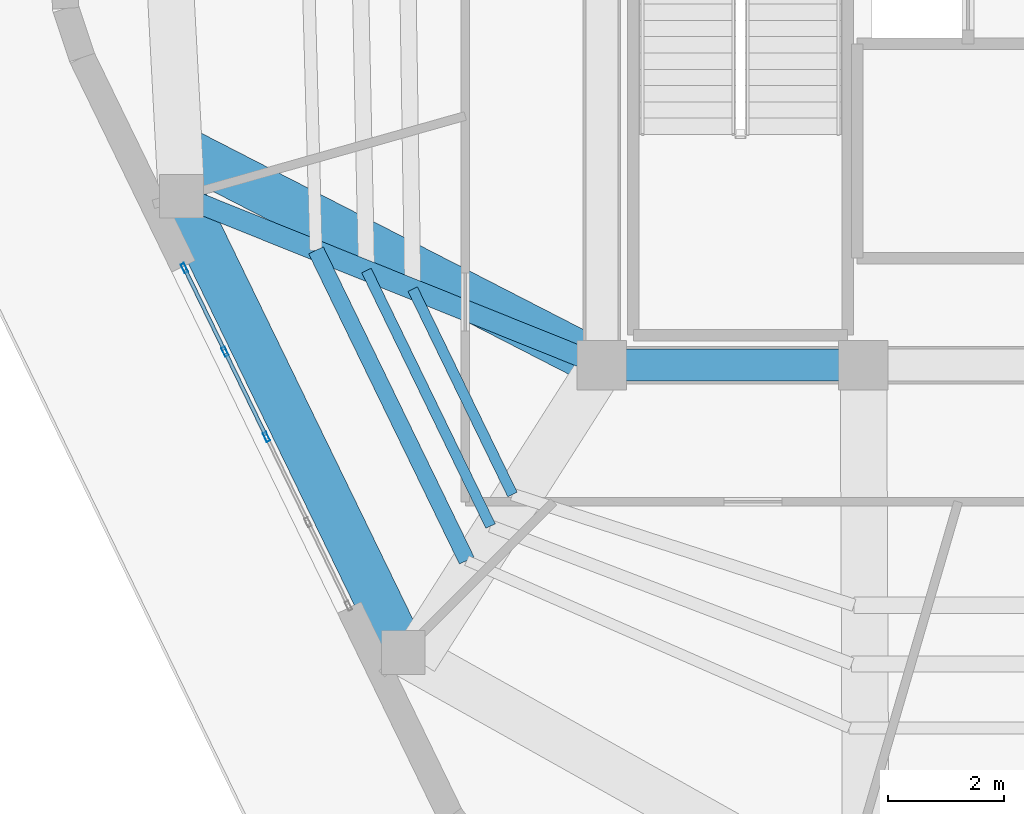
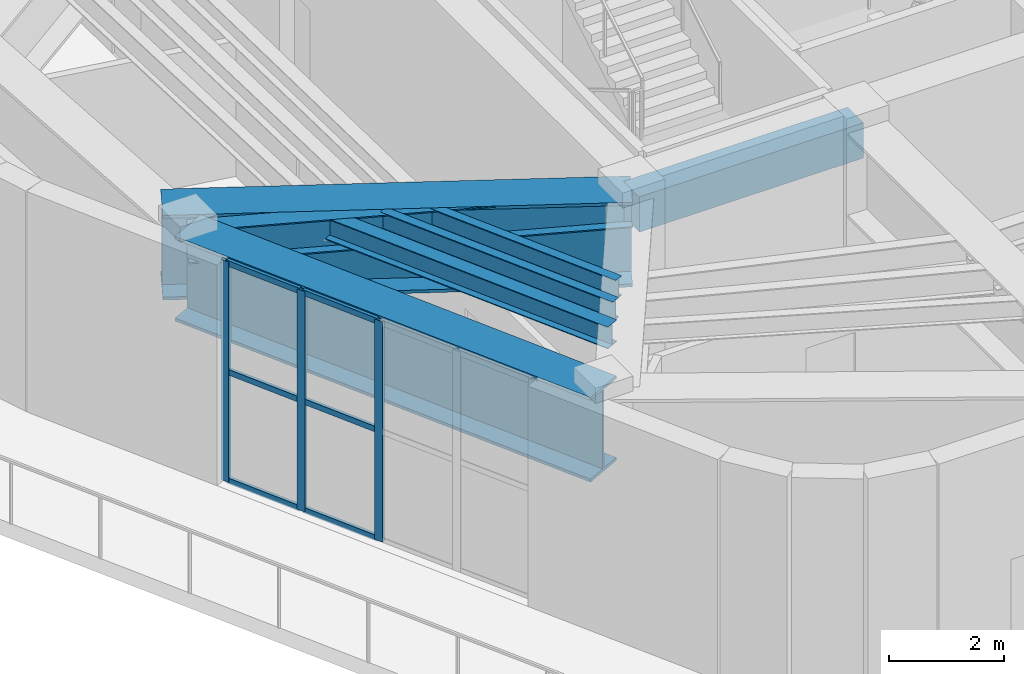
# One storey, part 4 of 24: 9 members, 7 beams, 1 element without a shape of its own.
"""IFC4 building model written with IfcOpenShell, lengths in metres."""

from ifc_helpers import new_model, si_unit, direction, frame, origin, origin_2d, place, context, subcontext, project, spatial, rectangle, hollow_rectangle, i_section, extrude, material, layer, layer_set, material_profile, profile_set, type_object, element, aggregate, save


model = new_model("IFC4")

# Units and contexts
model_context = context("Model", 3, precision=1e-05, world=origin(), true_north=direction((0.0, 1.0)))
body_context = subcontext(model_context, "Body", "Model", "MODEL_VIEW")
ifc_project = project(units=[si_unit("LENGTHUNIT", "METRE"), si_unit("AREAUNIT", "SQUARE_METRE"), si_unit("VOLUMEUNIT", "CUBIC_METRE"), si_unit("PLANEANGLEUNIT", "RADIAN"), si_unit("MASSUNIT", "GRAM", prefix="KILO")], contexts=[model_context])

# Site, building, storey
site_placement = place(None, origin())
site = spatial("IfcSite", under=ifc_project, at=site_placement, CompositionType="ELEMENT")
building_placement = place(site_placement, origin())
building = spatial("IfcBuilding", under=site, at=building_placement, Name="Kilnhurst Terrace Hotel", CompositionType="ELEMENT")
storey_placement = place(building_placement, frame((0.0, 0.0, 305.39990234375)))
storey = spatial("IfcBuildingStorey", under=building, at=storey_placement, Name="L76", CompositionType="ELEMENT", Elevation=305.39990234375)

# Beams
ifc_material_1 = material(Name="Concrete C50/60", Category="concrete")
ifc_material_profile_1 = material_profile(ifc_material_1, rectangle(XDim=0.550048828125, YDim=0.75, at=origin_2d()), Name="RC550X750")
ifc_profile_set_1 = profile_set([ifc_material_profile_1], Name="Concrete C50/60")
beam_type_1 = type_object("IfcBeamType", Name="BM-SPN-550X750", PredefinedType="SPANDREL", material=ifc_profile_set_1)
beam_1_placement = place(storey_placement, frame((-9.0, -7.5, 4.30517578125), z_axis=(1.0, 0.0, 0.0), x_axis=(0.0, 1.0, 0.0)))
element("IfcBeam", 1, at=beam_1_placement, inside=storey, type_object=beam_type_1, Name="L76 Core Tie Beam CC-SW to CC-SC1", PredefinedType="SPANDREL", context=body_context, shape_type="SweptSolid", body=[
    extrude(rectangle(XDim=0.550048828125, YDim=0.75, at=origin_2d()), origin(), (0.0, 0.0, 1.0), 4.5),
])
ifc_material_2 = material(Name="Steel ASTM A992 Grade 50", Category="steel")
ifc_material_profile_2 = material_profile(ifc_material_2, i_section(OverallWidth=0.354736328125, OverallDepth=0.695556640625, WebThickness=0.015380859375, FlangeThickness=0.025146484375, at=origin_2d()), Name="W27X146")
ifc_profile_set_2 = profile_set([ifc_material_profile_2], Name="Steel ASTM A992 Grade 50")
beam_type_2 = type_object("IfcBeamType", Name="BM-STL-W27X146", PredefinedType="BEAM", material=ifc_profile_set_2)
beam_2_placement = place(storey_placement, frame((-9.0, -7.5, 4.33203125), z_axis=(-0.927933440457, 0.372745932348, 0.0), x_axis=(-0.372745932348, -0.927933440457, 0.0)))
element("IfcBeam", 2, at=beam_2_placement, inside=storey, type_object=beam_type_2, Name="L76 Radial Floor Beam 11", PredefinedType="BEAM", context=body_context, shape_type="SweptSolid", body=[
    extrude(i_section(OverallWidth=0.354736328125, OverallDepth=0.695556640625, WebThickness=0.015380859375, FlangeThickness=0.025146484375, at=origin_2d()), origin(), (0.0, 0.0, 1.0), 7.793701171875),
])
ifc_material_profile_3 = material_profile(ifc_material_2, i_section(OverallWidth=0.180908203125, OverallDepth=0.417236328125, WebThickness=0.010986328125, FlangeThickness=0.018310546875, at=origin_2d()), Name="W16X57")
ifc_profile_set_3 = profile_set([ifc_material_profile_3], Name="Steel ASTM A992 Grade 50")
beam_type_3 = type_object("IfcBeamType", Name="JST-STL-W16X57", PredefinedType="JOIST", material=ifc_profile_set_3)
beam_3_placement = place(storey_placement, frame((-12.25439453125, -6.19287109375, 4.47119140625), z_axis=(0.437112375115, -0.899406899863, 0.0), x_axis=(0.899406899863, 0.437112375115, 0.0)))
element("IfcBeam", 3, at=beam_3_placement, inside=storey, type_object=beam_type_3, Name="L76 Secondary Floor Steel Joist IN.11", PredefinedType="JOIST", context=body_context, shape_type="SweptSolid", body=[
    extrude(i_section(OverallWidth=0.180908203125, OverallDepth=0.417236328125, WebThickness=0.010986328125, FlangeThickness=0.018310546875, at=origin_2d()), origin(), (0.0, 0.0, 1.0), 3.926513671875),
])
beam_4_placement = place(storey_placement, frame((-13.0498046875, -5.873291015625, 4.47119140625), z_axis=(0.437092228786, -0.899416690714, 0.0), x_axis=(0.899416690714, 0.437092228786, 0.0)))
element("IfcBeam", 4, at=beam_4_placement, inside=storey, type_object=beam_type_3, Name="L76 Secondary Floor Steel Joist MID.11", PredefinedType="JOIST", context=body_context, shape_type="SweptSolid", body=[
    extrude(i_section(OverallWidth=0.180908203125, OverallDepth=0.417236328125, WebThickness=0.010986328125, FlangeThickness=0.018310546875, at=origin_2d()), origin(), (0.0, 0.0, 1.0), 4.88623046875),
])
ifc_material_profile_4 = material_profile(ifc_material_2, i_section(OverallWidth=0.279296875, OverallDepth=0.462890625, WebThickness=0.0107421875, FlangeThickness=0.017333984375, at=origin_2d()), Name="W18X76")
ifc_profile_set_4 = profile_set([ifc_material_profile_4], Name="Steel ASTM A992 Grade 50")
beam_type_4 = type_object("IfcBeamType", Name="JST-STL-W18X76", PredefinedType="JOIST", material=ifc_profile_set_4)
beam_5_placement = place(storey_placement, frame((-13.917724609375, -5.524658203125, 4.447998046875), z_axis=(0.437112271564, -0.899406950189, 0.0), x_axis=(0.899406950189, 0.437112271564, 0.0)))
element("IfcBeam", 5, at=beam_5_placement, inside=storey, type_object=beam_type_4, Name="L76 Secondary Floor Steel Joist OUT.11", PredefinedType="JOIST", context=body_context, shape_type="SweptSolid", body=[
    extrude(i_section(OverallWidth=0.279296875, OverallDepth=0.462890625, WebThickness=0.0107421875, FlangeThickness=0.017333984375, at=origin_2d()), origin(), (0.0, 0.0, 1.0), 5.933349609375),
])

# Curtain wall, members
ifc_material_3 = material(Name="Anodized Aluminium Alloy 6063-T6 and Low-E Glass", Category="aluminium")
ifc_layer = layer(ifc_material_3, 0.219970703125, Name="Anodized Aluminium Alloy 6063-T6 and Low-E Glass")
ifc_layer_set = layer_set([ifc_layer], Name="Anodized Aluminium Alloy 6063-T6 and Low-E Glass")
curtain_wall_type = type_object("IfcCurtainWallType", Name="CW-OBS-CROWN", PredefinedType="NOTDEFINED", material=ifc_layer_set)
curtain_wall_placement = place(storey_placement, origin())
curtain_wall = element("IfcCurtainWall", 6, at=curtain_wall_placement, inside=storey, type_object=curtain_wall_type, Name="L76 Curtain Wall CW-L76-F6-1", PredefinedType="NOTDEFINED")
ifc_material_4 = material(Name="Extruded Aluminium Alloy 6063-T6", Category="aluminium")
ifc_material_profile_5 = material_profile(ifc_material_4, hollow_rectangle(XDim=0.06494140625, YDim=0.1650390625, WallThickness=0.00341796875, at=origin_2d()), Name="CWM65X165")
ifc_profile_set_5 = profile_set([ifc_material_profile_5], Name="Extruded Aluminium Alloy 6063-T6")
member_type_1 = type_object("IfcMemberType", Name="MEM-CWM65X165", PredefinedType="MULLION", material=ifc_profile_set_5)
member_1_placement = place(storey_placement, frame((-16.18212890625, -5.829833984375, 0.0), z_axis=(0.0, 0.0, 1.0), x_axis=(0.899435709395, 0.437053091357, 0.0)))
member_1 = element("IfcMember", 7, at=member_1_placement, type_object=member_type_1, Name="CWO-6 mullion 1", PredefinedType="MULLION", context=body_context, shape_type="SweptSolid", body=[
    extrude(hollow_rectangle(XDim=0.06494140625, YDim=0.1650390625, WallThickness=0.00341796875, at=origin_2d()), origin(), (0.0, 0.0, 1.0), 4.68017578125),
])
member_2_placement = place(storey_placement, frame((-15.483154296875, -7.267822265625, 0.0), z_axis=(0.0, 0.0, 1.0), x_axis=(0.899435709395, 0.437053091357, 0.0)))
member_2 = element("IfcMember", 8, at=member_2_placement, type_object=member_type_1, Name="CWO-6 mullion 2", PredefinedType="MULLION", context=body_context, shape_type="SweptSolid", body=[
    extrude(hollow_rectangle(XDim=0.06494140625, YDim=0.1650390625, WallThickness=0.00341796875, at=origin_2d()), origin(), (0.0, 0.0, 1.0), 4.68017578125),
])
member_3_placement = place(storey_placement, frame((-14.770263671875, -8.7353515625, 0.0), z_axis=(0.0, 0.0, 1.0), x_axis=(0.899435709395, 0.437053091357, 0.0)))
member_3 = element("IfcMember", 9, at=member_3_placement, type_object=member_type_1, Name="CWO-6 mullion 3", PredefinedType="MULLION", context=body_context, shape_type="SweptSolid", body=[
    extrude(hollow_rectangle(XDim=0.06494140625, YDim=0.1650390625, WallThickness=0.00341796875, at=origin_2d()), origin(), (0.0, 0.0, 1.0), 4.68017578125),
])
ifc_material_profile_6 = material_profile(ifc_material_4, hollow_rectangle(XDim=0.06494140625, YDim=0.1201171875, WallThickness=0.00341796875, at=origin_2d()), Name="CWT65X120")
ifc_profile_set_6 = profile_set([ifc_material_profile_6], Name="Extruded Aluminium Alloy 6063-T6")
member_type_2 = type_object("IfcMemberType", Name="MEM-CWT65X120", PredefinedType="USERDEFINED", material=ifc_profile_set_6)
member_4_placement = place(storey_placement, frame((-16.16796875, -5.85888671875, 0.03271484375), z_axis=(0.436999612703, -0.899461693735, 0.0), x_axis=(0.899461693735, 0.436999612703, 0.0)))
member_4 = element("IfcMember", 10, at=member_4_placement, type_object=member_type_2, Name="CWO-6 transom 1.1", ObjectType="TRANSOM", PredefinedType="USERDEFINED", context=body_context, shape_type="SweptSolid", body=[
    extrude(hollow_rectangle(XDim=0.06494140625, YDim=0.1201171875, WallThickness=0.00341796875, at=origin_2d()), origin(), (0.0, 0.0, 1.0), 1.5341796875),
])
member_5_placement = place(storey_placement, frame((-16.16796875, -5.85888671875, 2.340087890625), z_axis=(0.436999612703, -0.899461693735, 0.0), x_axis=(0.899461693735, 0.436999612703, 0.0)))
member_5 = element("IfcMember", 11, at=member_5_placement, type_object=member_type_2, Name="CWO-6 transom 1.2", ObjectType="TRANSOM", PredefinedType="USERDEFINED", context=body_context, shape_type="SweptSolid", body=[
    extrude(hollow_rectangle(XDim=0.06494140625, YDim=0.1201171875, WallThickness=0.00341796875, at=origin_2d()), origin(), (0.0, 0.0, 1.0), 1.5341796875),
])
member_6_placement = place(storey_placement, frame((-16.16796875, -5.85888671875, 4.647705078125), z_axis=(0.436999612703, -0.899461693735, 0.0), x_axis=(0.899461693735, 0.436999612703, 0.0)))
member_6 = element("IfcMember", 12, at=member_6_placement, type_object=member_type_2, Name="CWO-6 transom 1.3", ObjectType="TRANSOM", PredefinedType="USERDEFINED", context=body_context, shape_type="SweptSolid", body=[
    extrude(hollow_rectangle(XDim=0.06494140625, YDim=0.1201171875, WallThickness=0.00341796875, at=origin_2d()), origin(), (0.0, 0.0, 1.0), 1.5341796875),
])
member_7_placement = place(storey_placement, frame((-15.468994140625, -7.297119140625, 0.03271484375), z_axis=(0.437022859029, -0.899450399236, 0.0), x_axis=(0.899450399236, 0.437022859029, 0.0)))
member_7 = element("IfcMember", 13, at=member_7_placement, type_object=member_type_2, Name="CWO-6 transom 2.1", ObjectType="TRANSOM", PredefinedType="USERDEFINED", context=body_context, shape_type="SweptSolid", body=[
    extrude(hollow_rectangle(XDim=0.06494140625, YDim=0.1201171875, WallThickness=0.00341796875, at=origin_2d()), origin(), (0.0, 0.0, 1.0), 1.56640625),
])
member_8_placement = place(storey_placement, frame((-15.468994140625, -7.297119140625, 2.340087890625), z_axis=(0.437022859029, -0.899450399236, 0.0), x_axis=(0.899450399236, 0.437022859029, 0.0)))
member_8 = element("IfcMember", 14, at=member_8_placement, type_object=member_type_2, Name="CWO-6 transom 2.2", ObjectType="TRANSOM", PredefinedType="USERDEFINED", context=body_context, shape_type="SweptSolid", body=[
    extrude(hollow_rectangle(XDim=0.06494140625, YDim=0.1201171875, WallThickness=0.00341796875, at=origin_2d()), origin(), (0.0, 0.0, 1.0), 1.56640625),
])
member_9_placement = place(storey_placement, frame((-15.468994140625, -7.297119140625, 4.647705078125), z_axis=(0.437022859029, -0.899450399236, 0.0), x_axis=(0.899450399236, 0.437022859029, 0.0)))
member_9 = element("IfcMember", 15, at=member_9_placement, type_object=member_type_2, Name="CWO-6 transom 2.3", ObjectType="TRANSOM", PredefinedType="USERDEFINED", context=body_context, shape_type="SweptSolid", body=[
    extrude(hollow_rectangle(XDim=0.06494140625, YDim=0.1201171875, WallThickness=0.00341796875, at=origin_2d()), origin(), (0.0, 0.0, 1.0), 1.56640625),
])
aggregate(curtain_wall, [member_1, member_2, member_3, member_4, member_5, member_6, member_7, member_8, member_9])

# Beams
ifc_material_5 = material(Name="Steel ASTM A572 Grade 50", Category="steel")
ifc_material_profile_7 = material_profile(ifc_material_5, i_section(OverallWidth=0.800048828125, OverallDepth=1.800048828125, WebThickness=0.0400390625, FlangeThickness=0.06494140625, at=origin_2d()), Name="PG1800X800")
ifc_profile_set_7 = profile_set([ifc_material_profile_7], Name="Steel ASTM A572 Grade 50")
beam_type_5 = type_object("IfcBeamType", Name="TG-STEP-1800", PredefinedType="USERDEFINED", material=ifc_profile_set_7)
beam_6_placement = place(storey_placement, frame((-16.23193359375, -4.594970703125, 3.780029296875), z_axis=(0.437090234611, -0.899417659826, 0.0), x_axis=(0.899417659826, 0.437090234611, 0.0)))
element("IfcBeam", 16, at=beam_6_placement, inside=storey, type_object=beam_type_5, Name="L76 Zone Step Perimeter Transfer Girder 11", ObjectType="GIRDER", PredefinedType="USERDEFINED", context=body_context, shape_type="SweptSolid", body=[
    extrude(i_section(OverallWidth=0.800048828125, OverallDepth=1.800048828125, WebThickness=0.0400390625, FlangeThickness=0.06494140625, at=origin_2d()), origin(), (0.0, 0.0, 1.0), 8.725830078125),
])
beam_7_placement = place(storey_placement, frame((-9.0, -7.5, 3.780029296875), z_axis=(-0.889412266307, 0.457105918298, 0.0), x_axis=(-0.457105918298, -0.889412266307, 0.0)))
element("IfcBeam", 17, at=beam_7_placement, inside=storey, type_object=beam_type_5, Name="L76 Zone Step Radial Transfer Girder 11", ObjectType="GIRDER", PredefinedType="USERDEFINED", context=body_context, shape_type="SweptSolid", body=[
    extrude(i_section(OverallWidth=0.800048828125, OverallDepth=1.800048828125, WebThickness=0.0400390625, FlangeThickness=0.06494140625, at=origin_2d()), origin(), (0.0, 0.0, 1.0), 8.180908203125),
])

save(model, "model.ifc")
